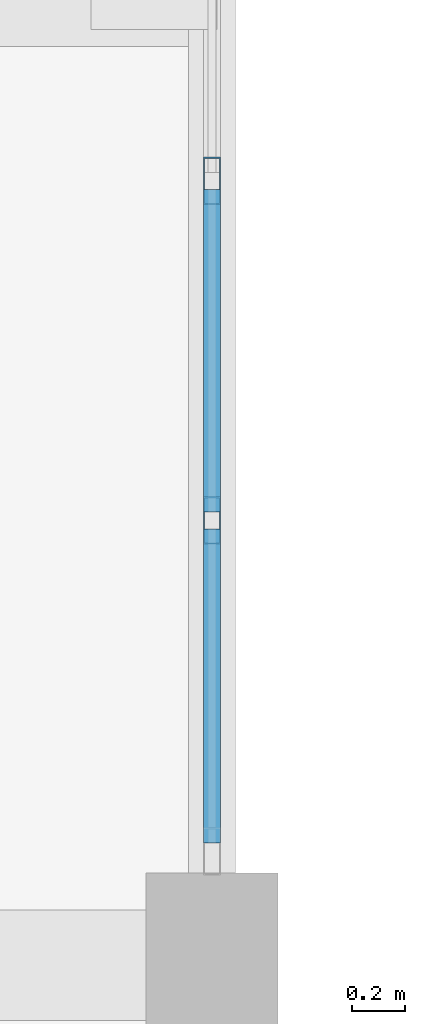
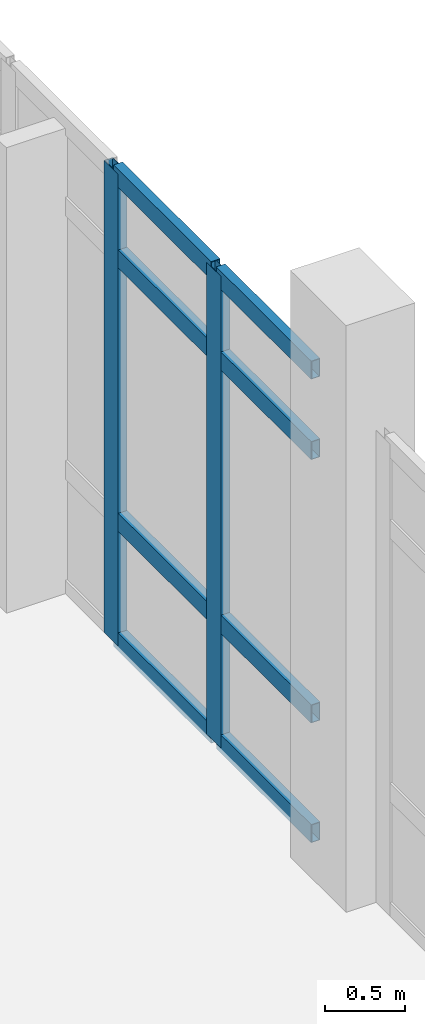
# One storey, part 9 of 57: 10 members, 1 element without a shape of its own.
"""IFC4 building model written with IfcOpenShell, lengths in metres."""

from ifc_helpers import new_model, si_unit, direction, frame, origin, origin_2d, place, context, subcontext, project, spatial, hollow_rectangle, extrude, material, material_profile, profile_set, type_object, element, aggregate, save


model = new_model("IFC4")

# Units and contexts
model_context = context("Model", 3, precision=1e-05, world=origin(), true_north=direction((0.0, 1.0)))
body_context = subcontext(model_context, "Body", "Model", "MODEL_VIEW")
ifc_project = project(units=[si_unit("LENGTHUNIT", "METRE"), si_unit("AREAUNIT", "SQUARE_METRE"), si_unit("VOLUMEUNIT", "CUBIC_METRE"), si_unit("PLANEANGLEUNIT", "RADIAN"), si_unit("MASSUNIT", "GRAM", prefix="KILO")], contexts=[model_context])

# Site, building, storey
site_placement = place(None, origin())
site = spatial("IfcSite", under=ifc_project, at=site_placement, CompositionType="ELEMENT")
building_placement = place(site_placement, origin())
building = spatial("IfcBuilding", under=site, at=building_placement, Name="Kalluvel Institute of Natural Sciences", CompositionType="ELEMENT")
storey_placement = place(building_placement, frame((0.0, 0.0, 23.39990234375)))
storey = spatial("IfcBuildingStorey", under=building, at=storey_placement, Name="L05", CompositionType="ELEMENT", Elevation=23.39990234375)

# Curtain wall, members
ifc_material = material(Name="Aluminium AW-6063 T6", Category="aluminium")
curtain_wall_type = type_object("IfcCurtainWallType", Name="CW-DRY-45", PredefinedType="USERDEFINED", material=ifc_material)
curtain_wall_placement = place(storey_placement, origin())
curtain_wall = element("IfcCurtainWall", 1, at=curtain_wall_placement, inside=storey, type_object=curtain_wall_type, Name="L05 Gothic lancet curtain wall CWA-L05-X356-Y432", ObjectType="UNITISED LANCET FACADE", PredefinedType="USERDEFINED")
ifc_material_profile_1 = material_profile(ifc_material, hollow_rectangle(XDim=0.06494140625, YDim=0.179931640625, WallThickness=0.00439453125, at=origin_2d()), Name="CWM 65x180")
ifc_profile_set_1 = profile_set([ifc_material_profile_1], Name="Aluminium AW-6063 T6")
member_type_1 = type_object("IfcMemberType", Name="CWM-65x180", PredefinedType="MULLION", material=ifc_profile_set_1)
member_1_placement = place(storey_placement, frame((35.60009765625, 44.489990234375, 0.0), z_axis=(0.0, 0.0, 1.0), x_axis=(-1.0, 0.0, 0.0)))
member_1 = element("IfcMember", 2, at=member_1_placement, type_object=member_type_1, Name="CW-03 mullion 2", PredefinedType="MULLION", context=body_context, shape_type="SweptSolid", body=[
    extrude(hollow_rectangle(XDim=0.06494140625, YDim=0.179931640625, WallThickness=0.00439453125, at=origin_2d()), origin(), (0.0, 0.0, 1.0), 3.6201171875),
])
member_2_placement = place(storey_placement, frame((35.60009765625, 45.780029296875, 0.0), z_axis=(0.0, 0.0, 1.0), x_axis=(-1.0, 0.0, 0.0)))
member_2 = element("IfcMember", 3, at=member_2_placement, type_object=member_type_1, Name="CW-03 mullion 3", PredefinedType="MULLION", context=body_context, shape_type="SweptSolid", body=[
    extrude(hollow_rectangle(XDim=0.06494140625, YDim=0.179931640625, WallThickness=0.00439453125, at=origin_2d()), origin(), (0.0, 0.0, 1.0), 3.6201171875),
])
ifc_material_profile_2 = material_profile(ifc_material, hollow_rectangle(XDim=0.06494140625, YDim=0.139892578125, WallThickness=0.00439453125, at=origin_2d()), Name="CWT 65x140")
ifc_profile_set_2 = profile_set([ifc_material_profile_2], Name="Aluminium AW-6063 T6")
member_type_2 = type_object("IfcMemberType", Name="CWT-65x140", PredefinedType="USERDEFINED", material=ifc_profile_set_2)
member_3_placement = place(storey_placement, frame((35.60009765625, 43.264892578125, 0.03271484375), z_axis=(0.0, 1.0, 0.0), x_axis=(-1.0, 0.0, 0.0)))
member_3 = element("IfcMember", 4, at=member_3_placement, type_object=member_type_2, Name="CW-03 transom 1.1", ObjectType="TRANSOM", PredefinedType="USERDEFINED", context=body_context, shape_type="SweptSolid", body=[
    extrude(hollow_rectangle(XDim=0.06494140625, YDim=0.139892578125, WallThickness=0.00439453125, at=origin_2d()), origin(), (0.0, 0.0, 1.0), 1.192626953125),
])
member_4_placement = place(storey_placement, frame((35.60009765625, 43.264892578125, 0.9501953125), z_axis=(0.0, 1.0, 0.0), x_axis=(-1.0, 0.0, 0.0)))
member_4 = element("IfcMember", 5, at=member_4_placement, type_object=member_type_2, Name="CW-03 transom 1.2", ObjectType="TRANSOM", PredefinedType="USERDEFINED", context=body_context, shape_type="SweptSolid", body=[
    extrude(hollow_rectangle(XDim=0.06494140625, YDim=0.139892578125, WallThickness=0.00439453125, at=origin_2d()), origin(), (0.0, 0.0, 1.0), 1.192626953125),
])
member_5_placement = place(storey_placement, frame((35.60009765625, 43.264892578125, 2.97021484375), z_axis=(0.0, 1.0, 0.0), x_axis=(-1.0, 0.0, 0.0)))
member_5 = element("IfcMember", 6, at=member_5_placement, type_object=member_type_2, Name="CW-03 transom 1.3", ObjectType="TRANSOM", PredefinedType="USERDEFINED", context=body_context, shape_type="SweptSolid", body=[
    extrude(hollow_rectangle(XDim=0.06494140625, YDim=0.139892578125, WallThickness=0.00439453125, at=origin_2d()), origin(), (0.0, 0.0, 1.0), 1.192626953125),
])
member_6_placement = place(storey_placement, frame((35.60009765625, 43.264892578125, 3.587646484375), z_axis=(0.0, 1.0, 0.0), x_axis=(-1.0, 0.0, 0.0)))
member_6 = element("IfcMember", 7, at=member_6_placement, type_object=member_type_2, Name="CW-03 transom 1.4", ObjectType="TRANSOM", PredefinedType="USERDEFINED", context=body_context, shape_type="SweptSolid", body=[
    extrude(hollow_rectangle(XDim=0.06494140625, YDim=0.139892578125, WallThickness=0.00439453125, at=origin_2d()), origin(), (0.0, 0.0, 1.0), 1.192626953125),
])
member_7_placement = place(storey_placement, frame((35.60009765625, 44.5224609375, 0.03271484375), z_axis=(0.0, 1.0, 0.0), x_axis=(-1.0, 0.0, 0.0)))
member_7 = element("IfcMember", 8, at=member_7_placement, type_object=member_type_2, Name="CW-03 transom 2.1", ObjectType="TRANSOM", PredefinedType="USERDEFINED", context=body_context, shape_type="SweptSolid", body=[
    extrude(hollow_rectangle(XDim=0.06494140625, YDim=0.139892578125, WallThickness=0.00439453125, at=origin_2d()), origin(), (0.0, 0.0, 1.0), 1.22509765625),
])
member_8_placement = place(storey_placement, frame((35.60009765625, 44.5224609375, 0.9501953125), z_axis=(0.0, 1.0, 0.0), x_axis=(-1.0, 0.0, 0.0)))
member_8 = element("IfcMember", 9, at=member_8_placement, type_object=member_type_2, Name="CW-03 transom 2.2", ObjectType="TRANSOM", PredefinedType="USERDEFINED", context=body_context, shape_type="SweptSolid", body=[
    extrude(hollow_rectangle(XDim=0.06494140625, YDim=0.139892578125, WallThickness=0.00439453125, at=origin_2d()), origin(), (0.0, 0.0, 1.0), 1.22509765625),
])
member_9_placement = place(storey_placement, frame((35.60009765625, 44.5224609375, 2.97021484375), z_axis=(0.0, 1.0, 0.0), x_axis=(-1.0, 0.0, 0.0)))
member_9 = element("IfcMember", 10, at=member_9_placement, type_object=member_type_2, Name="CW-03 transom 2.3", ObjectType="TRANSOM", PredefinedType="USERDEFINED", context=body_context, shape_type="SweptSolid", body=[
    extrude(hollow_rectangle(XDim=0.06494140625, YDim=0.139892578125, WallThickness=0.00439453125, at=origin_2d()), origin(), (0.0, 0.0, 1.0), 1.22509765625),
])
member_10_placement = place(storey_placement, frame((35.60009765625, 44.5224609375, 3.587646484375), z_axis=(0.0, 1.0, 0.0), x_axis=(-1.0, 0.0, 0.0)))
member_10 = element("IfcMember", 11, at=member_10_placement, type_object=member_type_2, Name="CW-03 transom 2.4", ObjectType="TRANSOM", PredefinedType="USERDEFINED", context=body_context, shape_type="SweptSolid", body=[
    extrude(hollow_rectangle(XDim=0.06494140625, YDim=0.139892578125, WallThickness=0.00439453125, at=origin_2d()), origin(), (0.0, 0.0, 1.0), 1.22509765625),
])
aggregate(curtain_wall, [member_1, member_2, member_3, member_4, member_5, member_6, member_7, member_8, member_9, member_10])

save(model, "model.ifc")
